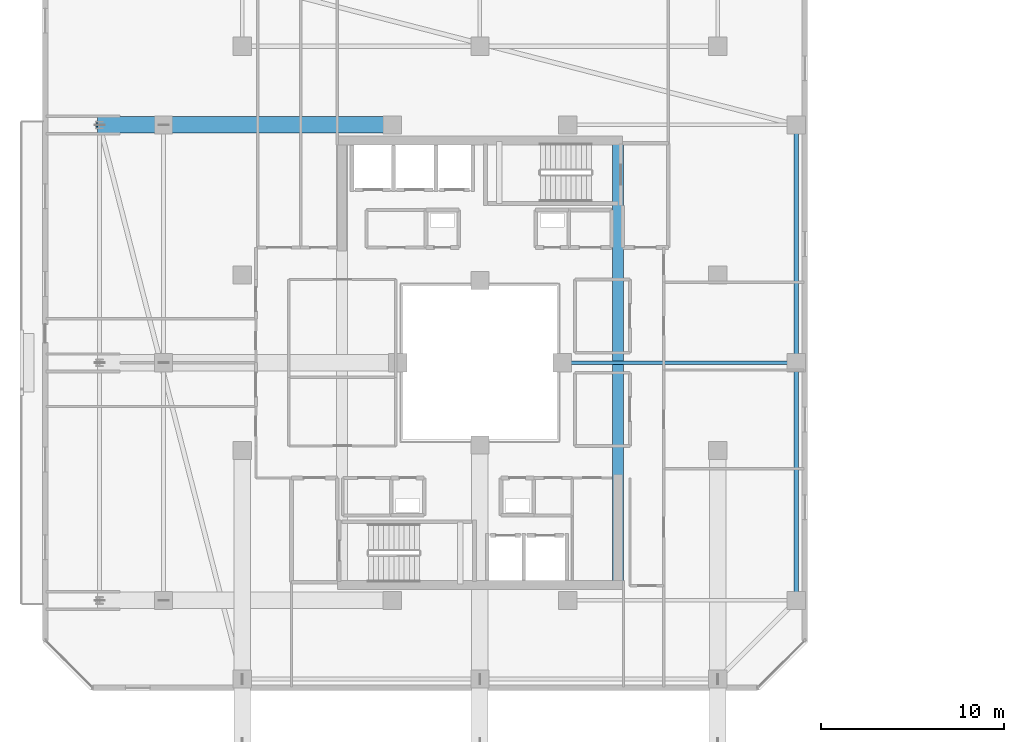
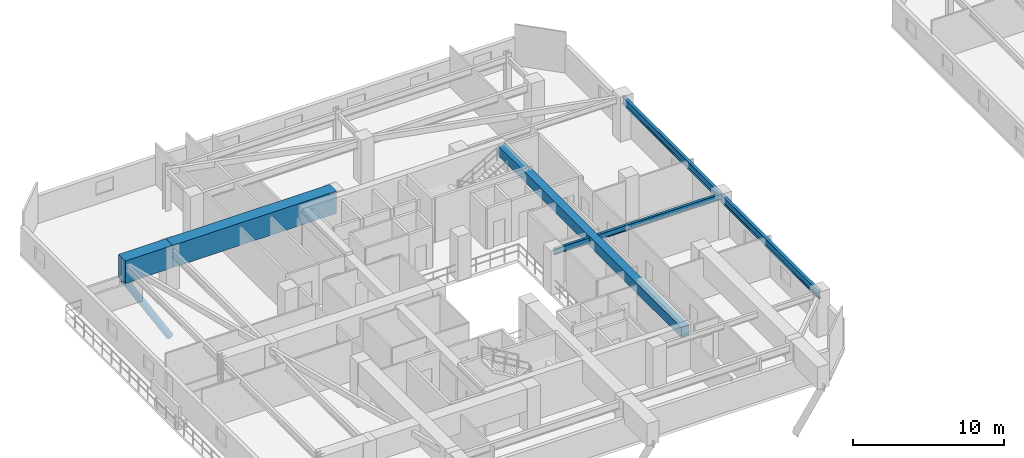
# One storey, part 6 of 35: 6 beams, 1 member.
"""IFC4 building model written with IfcOpenShell, lengths in metres."""

from ifc_helpers import new_model, si_unit, direction, frame, origin, origin_2d, place, context, subcontext, project, spatial, rectangle, hollow_circle, i_section, extrude, material, material_profile, profile_set, type_object, element, save


model = new_model("IFC4")

# Units and contexts
model_context = context("Model", 3, precision=1e-05, world=origin(), true_north=direction((0.0, 1.0)))
body_context = subcontext(model_context, "Body", "Model", "MODEL_VIEW")
ifc_project = project(units=[si_unit("LENGTHUNIT", "METRE"), si_unit("AREAUNIT", "SQUARE_METRE"), si_unit("VOLUMEUNIT", "CUBIC_METRE"), si_unit("PLANEANGLEUNIT", "RADIAN"), si_unit("MASSUNIT", "GRAM", prefix="KILO")], contexts=[model_context])

# Site, building, storey
site_placement = place(None, origin())
site = spatial("IfcSite", under=ifc_project, at=site_placement, CompositionType="ELEMENT")
building_placement = place(site_placement, origin())
building = spatial("IfcBuilding", under=site, at=building_placement, Name="Thornwick Lancets Civic Towers", CompositionType="ELEMENT")
storey_placement = place(building_placement, frame((0.0, 0.0, 225.89990234375)))
storey = spatial("IfcBuildingStorey", under=building, at=storey_placement, Name="L60", CompositionType="ELEMENT", Elevation=225.89990234375)

# Beams
ifc_material_1 = material(Name="Concrete C60/75", Category="concrete")
ifc_material_profile_1 = material_profile(ifc_material_1, rectangle(XDim=0.60009765625, YDim=0.800048828125, at=origin_2d()), Name="RC 600x800")
ifc_profile_set_1 = profile_set([ifc_material_profile_1], Name="Concrete C60/75")
beam_type_1 = type_object("IfcBeamType", Name="BM_COUP_RC800", PredefinedType="BEAM", material=ifc_profile_set_1)
beam_1_placement = place(storey_placement, frame((33.050048828125, 14.89990234375, 2.920166015625), z_axis=(0.0, 1.0, 0.0), x_axis=(-1.0, 0.0, 0.0)))
element("IfcBeam", 1, at=beam_1_placement, inside=storey, type_object=beam_type_1, Name="CB-L60-A1", PredefinedType="BEAM", context=body_context, shape_type="SweptSolid", body=[
    extrude(rectangle(XDim=0.60009765625, YDim=0.800048828125, at=origin_2d()), origin(), (0.0, 0.0, 1.0), 24.2001953125),
])
ifc_material_2 = material(Name="Steel S355JR", Category="steel")
ifc_material_profile_2 = material_profile(ifc_material_2, i_section(OverallWidth=0.230224609375, OverallDepth=0.6171875, WebThickness=0.01318359375, FlangeThickness=0.022216796875, FilletRadius=0.0126953125, at=origin_2d()), Name="UKB 610x229x140")
ifc_profile_set_2 = profile_set([ifc_material_profile_2], Name="Steel S355JR")
beam_type_2 = type_object("IfcBeamType", Name="BM_GIRD_610_140", PredefinedType="BEAM", material=ifc_profile_set_2)
beam_2_placement = place(storey_placement, frame((42.800048828125, 14.0, 3.011474609375), z_axis=(0.0, 1.0, 0.0), x_axis=(-1.0, 0.0, 0.0)))
element("IfcBeam", 2, at=beam_2_placement, inside=storey, type_object=beam_type_2, Name="BM-SPINE-L60-A-3-4", PredefinedType="BEAM", context=body_context, shape_type="SweptSolid", body=[
    extrude(i_section(OverallWidth=0.230224609375, OverallDepth=0.6171875, WebThickness=0.01318359375, FlangeThickness=0.022216796875, FilletRadius=0.0126953125, at=origin_2d()), origin(), (0.0, 0.0, 1.0), 13.0),
])
beam_3_placement = place(storey_placement, frame((42.800048828125, 27.080078125, 3.011474609375), z_axis=(0.0, 1.0, 0.0), x_axis=(-1.0, 0.0, 0.0)))
element("IfcBeam", 3, at=beam_3_placement, inside=storey, type_object=beam_type_2, Name="BM-SPINE-L60-A-4-5", PredefinedType="BEAM", context=body_context, shape_type="SweptSolid", body=[
    extrude(i_section(OverallWidth=0.230224609375, OverallDepth=0.6171875, WebThickness=0.01318359375, FlangeThickness=0.022216796875, FilletRadius=0.0126953125, at=origin_2d()), origin(), (0.0, 0.0, 1.0), 12.919921875),
])
ifc_material_profile_3 = material_profile(ifc_material_2, i_section(OverallWidth=0.19189453125, OverallDepth=0.46337890625, WebThickness=0.010498046875, FlangeThickness=0.017578125, FilletRadius=0.01025390625, at=origin_2d()), Name="UKB 457x191x89")
ifc_profile_set_3 = profile_set([ifc_material_profile_3], Name="Steel S355JR")
beam_type_3 = type_object("IfcBeamType", Name="BM_JOIST_457_89", PredefinedType="JOIST", material=ifc_profile_set_3)
beam_4_placement = place(storey_placement, frame((30.0, 27.0, 3.08837890625), z_axis=(1.0, 0.0, 0.0), x_axis=(0.0, 1.0, 0.0)))
element("IfcBeam", 4, at=beam_4_placement, inside=storey, type_object=beam_type_3, Name="BM-RADIN-L60-A05", PredefinedType="JOIST", context=body_context, shape_type="SweptSolid", body=[
    extrude(i_section(OverallWidth=0.19189453125, OverallDepth=0.46337890625, WebThickness=0.010498046875, FlangeThickness=0.017578125, FilletRadius=0.01025390625, at=origin_2d()), origin(), (0.0, 0.0, 1.0), 12.800048828125),
])
ifc_material_profile_4 = material_profile(ifc_material_1, rectangle(XDim=0.89990234375, YDim=1.800048828125, at=origin_2d()), Name="RC 900x1800")
ifc_profile_set_4 = profile_set([ifc_material_profile_4], Name="Concrete C60/75")
beam_type_4 = type_object("IfcBeamType", Name="BM_TR_RC1800", PredefinedType="BEAM", material=ifc_profile_set_4)
beam_5_placement = place(storey_placement, frame((20.699951171875, 40.0, 2.7001953125), z_axis=(-1.0, 0.0, 0.0), x_axis=(0.0, -1.0, 0.0)))
element("IfcBeam", 5, at=beam_5_placement, inside=storey, type_object=beam_type_4, Name="TG-BACK-L61-A12", PredefinedType="BEAM", context=body_context, shape_type="SweptSolid", body=[
    extrude(rectangle(XDim=0.89990234375, YDim=1.800048828125, at=origin_2d()), origin(), (0.0, 0.0, 1.0), 12.5),
])
beam_6_placement = place(storey_placement, frame((8.199951171875, 40.0, 2.7001953125), z_axis=(-1.0, 0.0, 0.0), x_axis=(0.0, -1.0, 0.0)))
element("IfcBeam", 6, at=beam_6_placement, inside=storey, type_object=beam_type_4, Name="TG-CANT-L61-A12", PredefinedType="BEAM", context=body_context, shape_type="SweptSolid", body=[
    extrude(rectangle(XDim=0.89990234375, YDim=1.800048828125, at=origin_2d()), origin(), (0.0, 0.0, 1.0), 3.619873046875),
])

# Member
ifc_material_3 = material(Name="Steel S460M", Category="steel")
ifc_material_profile_5 = material_profile(ifc_material_3, hollow_circle(Radius=0.25390625, WallThickness=0.02490234375, at=origin_2d()), Name="CHS 508x25")
ifc_profile_set_5 = profile_set([ifc_material_profile_5], Name="Steel S460M")
member_type = type_object("IfcMemberType", Name="MEM_STRUT_CHS508", PredefinedType="STRUT", material=ifc_profile_set_5)
member_placement = place(storey_placement, frame((8.199951171875, 40.0, -3.949951171875), z_axis=(-0.514706934567, 0.0, 0.857366182858), x_axis=(0.0, -1.0, 0.0)))
element("IfcMember", 7, at=member_placement, inside=storey, type_object=member_type, Name="L61 Jenga Transfer Raking Strut A12", PredefinedType="STRUT", context=body_context, shape_type="SweptSolid", body=[
    extrude(hollow_circle(Radius=0.25390625, WallThickness=0.02490234375, at=origin_2d()), origin(), (0.0, 0.0, 1.0), 6.800048828125),
])

save(model, "model.ifc")
